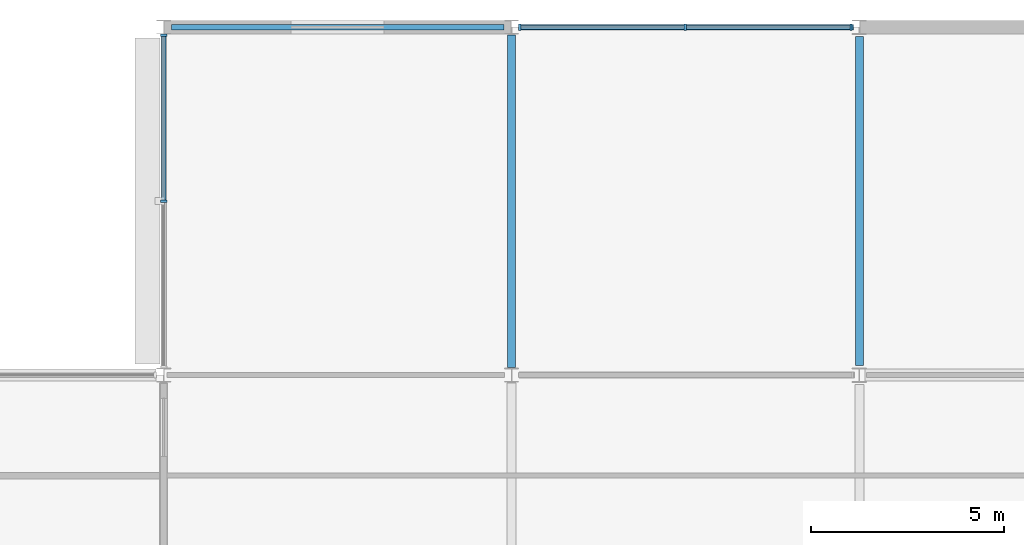
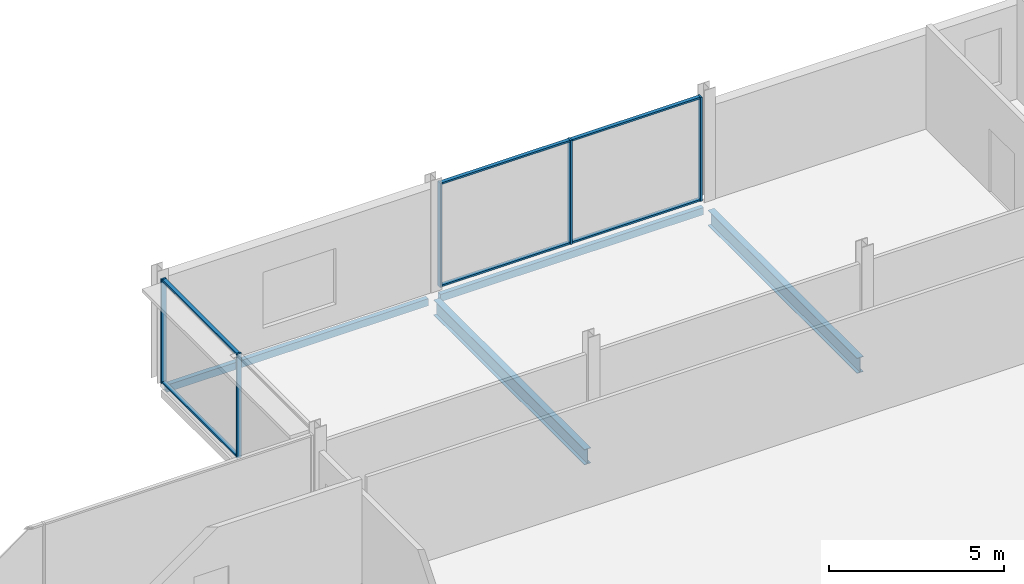
# One storey, part 50 of 98: 11 members, 4 beams, 2 elements without a shape of their own.
"""IFC4 building model written with IfcOpenShell, lengths in metres."""

from ifc_helpers import new_model, si_unit, direction, frame, origin, origin_2d, place, context, subcontext, project, spatial, rectangle, hollow_rectangle, i_section, extrude, material, layer, layer_set, material_profile, profile_set, type_object, element, aggregate, save


model = new_model("IFC4")

# Units and contexts
model_context = context("Model", 3, precision=1e-05, world=origin(), true_north=direction((0.0, 1.0)))
body_context = subcontext(model_context, "Body", "Model", "MODEL_VIEW")
ifc_project = project(units=[si_unit("LENGTHUNIT", "METRE"), si_unit("AREAUNIT", "SQUARE_METRE"), si_unit("VOLUMEUNIT", "CUBIC_METRE"), si_unit("PLANEANGLEUNIT", "RADIAN"), si_unit("MASSUNIT", "GRAM", prefix="KILO")], contexts=[model_context])

# Site, building, storey
site_placement = place(None, origin())
site = spatial("IfcSite", under=ifc_project, at=site_placement, CompositionType="ELEMENT")
building_placement = place(site_placement, origin())
building = spatial("IfcBuilding", under=site, at=building_placement, Name="Kisiwana Market Hall", CompositionType="ELEMENT")
storey_placement = place(building_placement, frame((0.0, 0.0, 29.39990234375)))
storey = spatial("IfcBuildingStorey", under=building, at=storey_placement, Name="L06", CompositionType="ELEMENT", Elevation=29.39990234375)

# Beams
ifc_material_1 = material(Name="Steel S355", Category="steel")
ifc_material_profile_1 = material_profile(ifc_material_1, i_section(OverallWidth=0.209228515625, OverallDepth=0.533203125, WebThickness=0.010009765625, FlangeThickness=0.015625, at=origin_2d()), Name="UB 533x210x92")
ifc_profile_set_1 = profile_set([ifc_material_profile_1], Name="Steel S355")
beam_type_1 = type_object("IfcBeamType", Name="BM-GIRD-UB533", PredefinedType="BEAM", material=ifc_profile_set_1)
beam_1_placement = place(storey_placement, frame((162.0, 102.19921875, -0.511474609375), z_axis=(0.0, 1.0, 0.0), x_axis=(-1.0, 0.0, 0.0)))
element("IfcBeam", 1, at=beam_1_placement, inside=storey, type_object=beam_type_1, Name="Primary girder B-1736", PredefinedType="BEAM", context=body_context, shape_type="SweptSolid", body=[
    extrude(i_section(OverallWidth=0.209228515625, OverallDepth=0.533203125, WebThickness=0.010009765625, FlangeThickness=0.015625, at=origin_2d()), origin(), (0.0, 0.0, 1.0), 8.6015625),
])
beam_2_placement = place(storey_placement, frame((171.0, 102.24609375, -0.511474609375), z_axis=(0.0, 1.0, 0.0), x_axis=(-1.0, 0.0, 0.0)))
element("IfcBeam", 2, at=beam_2_placement, inside=storey, type_object=beam_type_1, Name="Primary girder B-1740", PredefinedType="BEAM", context=body_context, shape_type="SweptSolid", body=[
    extrude(i_section(OverallWidth=0.209228515625, OverallDepth=0.533203125, WebThickness=0.010009765625, FlangeThickness=0.015625, at=origin_2d()), origin(), (0.0, 0.0, 1.0), 8.5078125),
])
ifc_material_2 = material(Name="Steel S355", Category="steel")
ifc_material_profile_2 = material_profile(ifc_material_2, hollow_rectangle(XDim=0.14990234375, YDim=0.25, WallThickness=0.010009765625, at=origin_2d()), Name="RHS 250x150x10.0")
ifc_profile_set_2 = profile_set([ifc_material_profile_2], Name="Steel S355")
beam_type_2 = type_object("IfcBeamType", Name="BM-SPAN-RHS250", PredefinedType="SPANDREL", material=ifc_profile_set_2)
beam_3_placement = place(storey_placement, frame((153.19921875, 111.0, -0.369873046875), z_axis=(1.0, 0.0, 0.0), x_axis=(0.0, 1.0, 0.0)))
element("IfcBeam", 3, at=beam_3_placement, inside=storey, type_object=beam_type_2, Name="Floor beam B-1845", PredefinedType="SPANDREL", context=body_context, shape_type="SweptSolid", body=[
    extrude(hollow_rectangle(XDim=0.14990234375, YDim=0.25, WallThickness=0.010009765625, at=origin_2d()), origin(), (0.0, 0.0, 1.0), 8.6015625),
])
beam_4_placement = place(storey_placement, frame((162.19921875, 111.0, -0.369873046875), z_axis=(1.0, 0.0, 0.0), x_axis=(0.0, 1.0, 0.0)))
element("IfcBeam", 4, at=beam_4_placement, inside=storey, type_object=beam_type_2, Name="Floor beam B-1846", PredefinedType="SPANDREL", context=body_context, shape_type="SweptSolid", body=[
    extrude(hollow_rectangle(XDim=0.14990234375, YDim=0.25, WallThickness=0.010009765625, at=origin_2d()), origin(), (0.0, 0.0, 1.0), 8.65478515625),
])

# Curtain wall, members
ifc_material_3 = material(Name="Double-glazed solar-control low-E IGU", Category="glass")
ifc_layer = layer(ifc_material_3, 0.159912109375)
ifc_layer_set = layer_set([ifc_layer], Name="CW-ZNA-EW-8200")
curtain_wall_type = type_object("IfcCurtainWallType", Name="CW-ZNA-EW-8200", PredefinedType="USERDEFINED", material=ifc_layer_set)
curtain_wall_1_placement = place(storey_placement, origin())
curtain_wall_1 = element("IfcCurtainWall", 5, at=curtain_wall_1_placement, inside=storey, type_object=curtain_wall_type, Name="Unitised curtain wall CW-197 (L06)", ObjectType="UNITISED CURTAIN WALL", PredefinedType="USERDEFINED")
ifc_material_4 = material(Name="Aluminium alloy 6063-T6", Category="aluminium")
ifc_material_profile_3 = material_profile(ifc_material_4, rectangle(XDim=0.06005859375, YDim=0.159912109375, at=origin_2d()), Name="ALU MULLION 60x160")
ifc_profile_set_3 = profile_set([ifc_material_profile_3], Name="Aluminium alloy 6063-T6")
member_type_1 = type_object("IfcMemberType", Name="CW-MULL-60x160", PredefinedType="MULLION", material=ifc_profile_set_3)
member_1_placement = place(storey_placement, frame((162.215087890625, 111.0, 0.0), z_axis=(0.0, 0.0, 1.0), x_axis=(1.0, 0.0, 0.0)))
member_1 = element("IfcMember", 6, at=member_1_placement, type_object=member_type_1, Name="CW-197 mullion 1", PredefinedType="MULLION", context=body_context, shape_type="SweptSolid", body=[
    extrude(rectangle(XDim=0.06005859375, YDim=0.159912109375, at=origin_2d()), origin(), (0.0, 0.0, 1.0), 3.6201171875),
])
member_2_placement = place(storey_placement, frame((166.498779296875, 111.0, 0.0), z_axis=(0.0, 0.0, 1.0), x_axis=(1.0, 0.0, 0.0)))
member_2 = element("IfcMember", 7, at=member_2_placement, type_object=member_type_1, Name="CW-197 mullion 2", PredefinedType="MULLION", context=body_context, shape_type="SweptSolid", body=[
    extrude(rectangle(XDim=0.06005859375, YDim=0.159912109375, at=origin_2d()), origin(), (0.0, 0.0, 1.0), 3.6201171875),
])
member_3_placement = place(storey_placement, frame((170.78271484375, 111.0, 0.0), z_axis=(0.0, 0.0, 1.0), x_axis=(1.0, 0.0, 0.0)))
member_3 = element("IfcMember", 8, at=member_3_placement, type_object=member_type_1, Name="CW-197 mullion 3", PredefinedType="MULLION", context=body_context, shape_type="SweptSolid", body=[
    extrude(rectangle(XDim=0.06005859375, YDim=0.159912109375, at=origin_2d()), origin(), (0.0, 0.0, 1.0), 3.6201171875),
])

curtain_wall_2_placement = place(storey_placement, origin())
curtain_wall_2 = element("IfcCurtainWall", 9, at=curtain_wall_2_placement, inside=storey, type_object=curtain_wall_type, Name="Unitised curtain wall CW-207 (L06)", ObjectType="UNITISED CURTAIN WALL", PredefinedType="USERDEFINED")
member_4_placement = place(storey_placement, frame((153.0, 106.5, 0.0), z_axis=(0.0, 0.0, 1.0), x_axis=(0.0, 1.0, 0.0)))
member_4 = element("IfcMember", 10, at=member_4_placement, type_object=member_type_1, Name="CW-207 mullion 2", PredefinedType="MULLION", context=body_context, shape_type="SweptSolid", body=[
    extrude(rectangle(XDim=0.06005859375, YDim=0.159912109375, at=origin_2d()), origin(), (0.0, 0.0, 1.0), 3.6201171875),
])
member_5_placement = place(storey_placement, frame((153.0, 110.7890625, 0.0), z_axis=(0.0, 0.0, 1.0), x_axis=(0.0, 1.0, 0.0)))
member_5 = element("IfcMember", 11, at=member_5_placement, type_object=member_type_1, Name="CW-207 mullion 3", PredefinedType="MULLION", context=body_context, shape_type="SweptSolid", body=[
    extrude(rectangle(XDim=0.06005859375, YDim=0.159912109375, at=origin_2d()), origin(), (0.0, 0.0, 1.0), 3.6201171875),
])

# Member
ifc_material_5 = material(Name="Aluminium alloy 6063-T6", Category="aluminium")
ifc_material_profile_4 = material_profile(ifc_material_5, rectangle(XDim=0.1201171875, YDim=0.06005859375, at=origin_2d()), Name="ALU TRANSOM 60x120")
ifc_profile_set_4 = profile_set([ifc_material_profile_4], Name="Aluminium alloy 6063-T6")
member_type_2 = type_object("IfcMemberType", Name="CW-TRAN-60x120", PredefinedType="USERDEFINED", material=ifc_profile_set_4)
member_6_placement = place(storey_placement, frame((162.2451171875, 111.0, 0.030029296875), z_axis=(1.0, 0.0, 0.0), x_axis=(0.0, 1.0, 0.0)))
member_6 = element("IfcMember", 12, at=member_6_placement, type_object=member_type_2, Name="CW-197 transom 1.1", ObjectType="TRANSOM", PredefinedType="USERDEFINED", context=body_context, shape_type="SweptSolid", body=[
    extrude(rectangle(XDim=0.1201171875, YDim=0.06005859375, at=origin_2d()), origin(), (0.0, 0.0, 1.0), 4.223876953125),
])

member_7_placement = place(storey_placement, frame((162.2451171875, 111.0, 3.590087890625), z_axis=(1.0, 0.0, 0.0), x_axis=(0.0, 1.0, 0.0)))
member_7 = element("IfcMember", 13, at=member_7_placement, type_object=member_type_2, Name="CW-197 transom 1.2", ObjectType="TRANSOM", PredefinedType="USERDEFINED", context=body_context, shape_type="SweptSolid", body=[
    extrude(rectangle(XDim=0.1201171875, YDim=0.06005859375, at=origin_2d()), origin(), (0.0, 0.0, 1.0), 4.223876953125),
])

member_8_placement = place(storey_placement, frame((166.52880859375, 111.0, 0.030029296875), z_axis=(1.0, 0.0, 0.0), x_axis=(0.0, 1.0, 0.0)))
member_8 = element("IfcMember", 14, at=member_8_placement, type_object=member_type_2, Name="CW-197 transom 2.1", ObjectType="TRANSOM", PredefinedType="USERDEFINED", context=body_context, shape_type="SweptSolid", body=[
    extrude(rectangle(XDim=0.1201171875, YDim=0.06005859375, at=origin_2d()), origin(), (0.0, 0.0, 1.0), 4.223876953125),
])

member_9_placement = place(storey_placement, frame((166.52880859375, 111.0, 3.590087890625), z_axis=(1.0, 0.0, 0.0), x_axis=(0.0, 1.0, 0.0)))
member_9 = element("IfcMember", 15, at=member_9_placement, type_object=member_type_2, Name="CW-197 transom 2.2", ObjectType="TRANSOM", PredefinedType="USERDEFINED", context=body_context, shape_type="SweptSolid", body=[
    extrude(rectangle(XDim=0.1201171875, YDim=0.06005859375, at=origin_2d()), origin(), (0.0, 0.0, 1.0), 4.223876953125),
])

aggregate(curtain_wall_1, [member_1, member_2, member_3, member_6, member_7, member_8, member_9])

member_10_placement = place(storey_placement, frame((153.0, 106.530029296875, 0.030029296875), z_axis=(0.0, 1.0, 0.0), x_axis=(-1.0, 0.0, 0.0)))
member_10 = element("IfcMember", 16, at=member_10_placement, type_object=member_type_2, Name="CW-207 transom 2.1", ObjectType="TRANSOM", PredefinedType="USERDEFINED", context=body_context, shape_type="SweptSolid", body=[
    extrude(rectangle(XDim=0.1201171875, YDim=0.06005859375, at=origin_2d()), origin(), (0.0, 0.0, 1.0), 4.22900390625),
])

member_11_placement = place(storey_placement, frame((153.0, 106.530029296875, 3.590087890625), z_axis=(0.0, 1.0, 0.0), x_axis=(-1.0, 0.0, 0.0)))
member_11 = element("IfcMember", 17, at=member_11_placement, type_object=member_type_2, Name="CW-207 transom 2.2", ObjectType="TRANSOM", PredefinedType="USERDEFINED", context=body_context, shape_type="SweptSolid", body=[
    extrude(rectangle(XDim=0.1201171875, YDim=0.06005859375, at=origin_2d()), origin(), (0.0, 0.0, 1.0), 4.22900390625),
])

aggregate(curtain_wall_2, [member_4, member_5, member_10, member_11])

save(model, "model.ifc")
